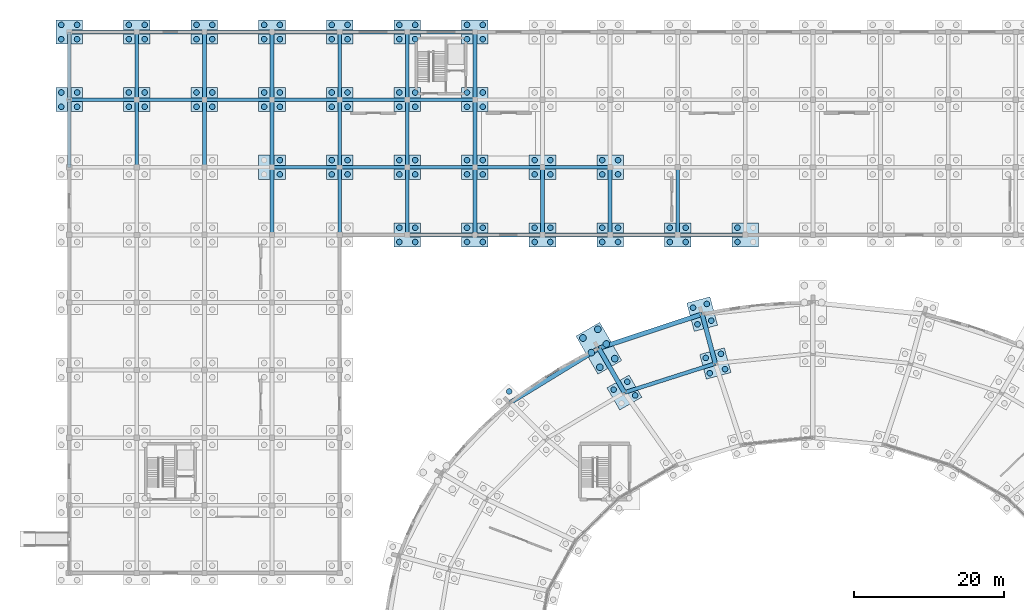
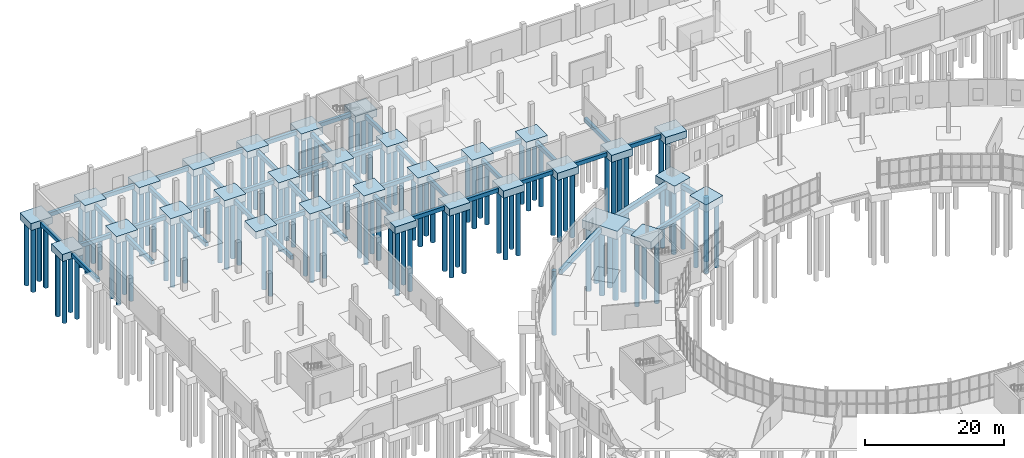
# One storey, part 10 of 118: 118 piles, 78 footings.
"""IFC4 building model written with IfcOpenShell, lengths in metres."""

from ifc_helpers import new_model, si_unit, direction, frame, origin, origin_2d, place, context, subcontext, project, spatial, rectangle, circle, extrude, material, material_profile, profile_set, type_object, element, save


model = new_model("IFC4")

# Units and contexts
model_context = context("Model", 3, precision=1e-05, world=origin(), true_north=direction((0.0, 1.0)))
body_context = subcontext(model_context, "Body", "Model", "MODEL_VIEW")
ifc_project = project(units=[si_unit("LENGTHUNIT", "METRE"), si_unit("AREAUNIT", "SQUARE_METRE"), si_unit("VOLUMEUNIT", "CUBIC_METRE"), si_unit("PLANEANGLEUNIT", "RADIAN"), si_unit("MASSUNIT", "GRAM", prefix="KILO")], contexts=[model_context])

# Site, building, storey
site_placement = place(None, origin())
site = spatial("IfcSite", under=ifc_project, at=site_placement, CompositionType="ELEMENT")
building_placement = place(site_placement, origin())
building = spatial("IfcBuilding", under=site, at=building_placement, Name="Kildeholm Park Wholesale Market", CompositionType="ELEMENT")
storey_placement = place(building_placement, origin())
storey = spatial("IfcBuildingStorey", under=building, at=storey_placement, Name="L00", CompositionType="ELEMENT", Elevation=0.0)

# Piles
ifc_material = material(Name="Concrete C35/45", Category="concrete")
ifc_material_profile_1 = material_profile(ifc_material, circle(Radius=0.375, at=origin_2d()), Name="PILE D750")
ifc_profile_set_1 = profile_set([ifc_material_profile_1], Name="Concrete C35/45")
pile_type_1 = type_object("IfcPileType", Name="Bored pile 750 mm", PredefinedType="BORED", material=ifc_profile_set_1)
for number, where, z_axis, x_axis, name in (
    (1, (87.29296875, 126.138427734375, -1.199951171875), (0.0, 0.0, -1.0), (1.0, 0.0, 0.0), "Bored pile V1-MD-07.1 PIL-0097"),
    (2, (86.74951171875, 128.1669921875, -1.199951171875), (0.0, 0.0, -1.0), (1.0, 0.0, 0.0), "Bored pile V1-MD-07.2 PIL-0098"),
    (3, (85.264404296875, 125.594970703125, -1.199951171875), (0.0, 0.0, -1.0), (1.0, 0.0, 0.0), "Bored pile V1-MD-07.3 PIL-0099"),
    (4, (84.720947265625, 127.62353515625, -1.199951171875), (0.0, 0.0, -1.0), (1.0, 0.0, 0.0), "Bored pile V1-MD-07.4 PIL-0100"),
):
    element("IfcPile", number, at=place(storey_placement, frame(where, z_axis=z_axis, x_axis=x_axis)), inside=storey, type_object=pile_type_1, Name=name, PredefinedType="BORED", context=body_context, shape_type="SweptSolid", body=[
        extrude(circle(Radius=0.375, at=origin_2d()), origin(), (0.0, 0.0, 1.0), 11.300048828125),
    ])
for number, where, z_axis, x_axis, name in (
    (5, (85.46240234375, 132.585205078125, -1.25), (0.0, 0.0, -1.0), (1.0, 0.0, 0.0), "Bored pile V1-OT-07.1 PIL-0101"),
    (6, (84.866943359375, 134.806640625, -1.25), (0.0, 0.0, -1.0), (1.0, 0.0, 0.0), "Bored pile V1-OT-07.2 PIL-0102"),
    (7, (83.626953125, 132.09326171875, -1.25), (0.0, 0.0, -1.0), (1.0, 0.0, 0.0), "Bored pile V1-OT-07.3 PIL-0103"),
    (8, (83.03173828125, 134.31494140625, -1.25), (0.0, 0.0, -1.0), (1.0, 0.0, 0.0), "Bored pile V1-OT-07.4 PIL-0104"),
):
    element("IfcPile", number, at=place(storey_placement, frame(where, z_axis=z_axis, x_axis=x_axis)), inside=storey, type_object=pile_type_1, Name=name, PredefinedType="BORED", context=body_context, shape_type="SweptSolid", body=[
        extrude(circle(Radius=0.375, at=origin_2d()), origin(), (0.0, 0.0, 1.0), 11.25),
    ])
for number, where, z_axis, x_axis, name in (
    (9, (75.334228515625, 122.630615234375, -1.199951171875), (0.0, 0.0, -1.0), (1.0, 0.0, 0.0), "Bored pile V1-MD-08.1 PIL-0109"),
    (10, (74.2841796875, 124.44921875, -1.199951171875), (0.0, 0.0, -1.0), (1.0, 0.0, 0.0), "Bored pile V1-MD-08.2 PIL-0110"),
    (11, (72.4658203125, 123.3994140625, -1.199951171875), (0.0, 0.0, -1.0), (1.0, 0.0, 0.0), "Bored pile V1-MD-08.4 PIL-0112"),
):
    element("IfcPile", number, at=place(storey_placement, frame(where, z_axis=z_axis, x_axis=x_axis)), inside=storey, type_object=pile_type_1, Name=name, PredefinedType="BORED", context=body_context, shape_type="SweptSolid", body=[
        extrude(circle(Radius=0.375, at=origin_2d()), origin(), (0.0, 0.0, 1.0), 11.300048828125),
    ])
pile_placement = place(storey_placement, frame((58.5537109375, 123.157958984375, -1.25), z_axis=(0.0, 0.0, -1.0), x_axis=(1.0, 0.0, 0.0)))
element("IfcPile", 12, at=pile_placement, inside=storey, type_object=pile_type_1, Name="Bored pile V1-OT-09.2 PIL-0128", PredefinedType="BORED", context=body_context, shape_type="SweptSolid", body=[
    extrude(circle(Radius=0.375, at=origin_2d()), origin(), (0.0, 0.0, 1.0), 11.25),
])
for number, where, z_axis, x_axis, name in (
    (13, (-1.050048828125, 161.050048828125, -1.14990234375), (0.0, 0.0, -1.0), (1.0, 0.0, 0.0), "Bored pile V4-000-162.1 PIL-0453"),
    (14, (1.050048828125, 161.050048828125, -1.14990234375), (0.0, 0.0, -1.0), (1.0, 0.0, 0.0), "Bored pile V4-000-162.2 PIL-0454"),
    (15, (-1.050048828125, 162.949951171875, -1.14990234375), (0.0, 0.0, -1.0), (1.0, 0.0, 0.0), "Bored pile V4-000-162.3 PIL-0455"),
    (16, (1.050048828125, 162.949951171875, -1.14990234375), (0.0, 0.0, -1.0), (1.0, 0.0, 0.0), "Bored pile V4-000-162.4 PIL-0456"),
    (17, (-1.050048828125, 170.050048828125, -1.14990234375), (0.0, 0.0, -1.0), (1.0, 0.0, 0.0), "Bored pile V4-000-171.1 PIL-0457"),
    (18, (1.050048828125, 170.050048828125, -1.14990234375), (0.0, 0.0, -1.0), (1.0, 0.0, 0.0), "Bored pile V4-000-171.2 PIL-0458"),
    (19, (-1.050048828125, 171.949951171875, -1.14990234375), (0.0, 0.0, -1.0), (1.0, 0.0, 0.0), "Bored pile V4-000-171.3 PIL-0459"),
    (20, (1.050048828125, 171.949951171875, -1.14990234375), (0.0, 0.0, -1.0), (1.0, 0.0, 0.0), "Bored pile V4-000-171.4 PIL-0460"),
    (21, (7.949951171875, 161.050048828125, -1.14990234375), (0.0, 0.0, -1.0), (1.0, 0.0, 0.0), "Bored pile V4-009-162.1 PIL-0489"),
    (22, (10.050048828125, 161.050048828125, -1.14990234375), (0.0, 0.0, -1.0), (1.0, 0.0, 0.0), "Bored pile V4-009-162.2 PIL-0490"),
    (23, (7.949951171875, 162.949951171875, -1.14990234375), (0.0, 0.0, -1.0), (1.0, 0.0, 0.0), "Bored pile V4-009-162.3 PIL-0491"),
    (24, (10.050048828125, 162.949951171875, -1.14990234375), (0.0, 0.0, -1.0), (1.0, 0.0, 0.0), "Bored pile V4-009-162.4 PIL-0492"),
    (25, (7.949951171875, 170.050048828125, -1.14990234375), (0.0, 0.0, -1.0), (1.0, 0.0, 0.0), "Bored pile V4-009-171.1 PIL-0493"),
    (26, (10.050048828125, 170.050048828125, -1.14990234375), (0.0, 0.0, -1.0), (1.0, 0.0, 0.0), "Bored pile V4-009-171.2 PIL-0494"),
    (27, (7.949951171875, 171.949951171875, -1.14990234375), (0.0, 0.0, -1.0), (1.0, 0.0, 0.0), "Bored pile V4-009-171.3 PIL-0495"),
    (28, (10.050048828125, 171.949951171875, -1.14990234375), (0.0, 0.0, -1.0), (1.0, 0.0, 0.0), "Bored pile V4-009-171.4 PIL-0496"),
    (29, (16.949951171875, 161.050048828125, -1.14990234375), (0.0, 0.0, -1.0), (1.0, 0.0, 0.0), "Bored pile V4-018-162.1 PIL-0525"),
    (30, (19.050048828125, 161.050048828125, -1.14990234375), (0.0, 0.0, -1.0), (1.0, 0.0, 0.0), "Bored pile V4-018-162.2 PIL-0526"),
    (31, (16.949951171875, 162.949951171875, -1.14990234375), (0.0, 0.0, -1.0), (1.0, 0.0, 0.0), "Bored pile V4-018-162.3 PIL-0527"),
    (32, (19.050048828125, 162.949951171875, -1.14990234375), (0.0, 0.0, -1.0), (1.0, 0.0, 0.0), "Bored pile V4-018-162.4 PIL-0528"),
    (33, (16.949951171875, 170.050048828125, -1.14990234375), (0.0, 0.0, -1.0), (1.0, 0.0, 0.0), "Bored pile V4-018-171.1 PIL-0529"),
    (34, (19.050048828125, 170.050048828125, -1.14990234375), (0.0, 0.0, -1.0), (1.0, 0.0, 0.0), "Bored pile V4-018-171.2 PIL-0530"),
    (35, (16.949951171875, 171.949951171875, -1.14990234375), (0.0, 0.0, -1.0), (1.0, 0.0, 0.0), "Bored pile V4-018-171.3 PIL-0531"),
    (36, (19.050048828125, 171.949951171875, -1.14990234375), (0.0, 0.0, -1.0), (1.0, 0.0, 0.0), "Bored pile V4-018-171.4 PIL-0532"),
    (37, (28.050048828125, 152.050048828125, -1.14990234375), (0.0, 0.0, -1.0), (1.0, 0.0, 0.0), "Bored pile V4-027-153.2 PIL-0558"),
    (38, (28.050048828125, 153.949951171875, -1.14990234375), (0.0, 0.0, -1.0), (1.0, 0.0, 0.0), "Bored pile V4-027-153.4 PIL-0560"),
    (39, (25.949951171875, 161.050048828125, -1.14990234375), (0.0, 0.0, -1.0), (1.0, 0.0, 0.0), "Bored pile V4-027-162.1 PIL-0561"),
    (40, (28.050048828125, 161.050048828125, -1.14990234375), (0.0, 0.0, -1.0), (1.0, 0.0, 0.0), "Bored pile V4-027-162.2 PIL-0562"),
    (41, (25.949951171875, 162.949951171875, -1.14990234375), (0.0, 0.0, -1.0), (1.0, 0.0, 0.0), "Bored pile V4-027-162.3 PIL-0563"),
    (42, (28.050048828125, 162.949951171875, -1.14990234375), (0.0, 0.0, -1.0), (1.0, 0.0, 0.0), "Bored pile V4-027-162.4 PIL-0564"),
    (43, (25.949951171875, 170.050048828125, -1.14990234375), (0.0, 0.0, -1.0), (1.0, 0.0, 0.0), "Bored pile V4-027-171.1 PIL-0565"),
    (44, (28.050048828125, 170.050048828125, -1.14990234375), (0.0, 0.0, -1.0), (1.0, 0.0, 0.0), "Bored pile V4-027-171.2 PIL-0566"),
    (45, (25.949951171875, 171.949951171875, -1.14990234375), (0.0, 0.0, -1.0), (1.0, 0.0, 0.0), "Bored pile V4-027-171.3 PIL-0567"),
    (46, (28.050048828125, 171.949951171875, -1.14990234375), (0.0, 0.0, -1.0), (1.0, 0.0, 0.0), "Bored pile V4-027-171.4 PIL-0568"),
    (47, (34.949951171875, 152.050048828125, -1.14990234375), (0.0, 0.0, -1.0), (1.0, 0.0, 0.0), "Bored pile V4-036-153.1 PIL-0593"),
    (48, (37.050048828125, 152.050048828125, -1.14990234375), (0.0, 0.0, -1.0), (1.0, 0.0, 0.0), "Bored pile V4-036-153.2 PIL-0594"),
    (49, (34.949951171875, 153.949951171875, -1.14990234375), (0.0, 0.0, -1.0), (1.0, 0.0, 0.0), "Bored pile V4-036-153.3 PIL-0595"),
    (50, (37.050048828125, 153.949951171875, -1.14990234375), (0.0, 0.0, -1.0), (1.0, 0.0, 0.0), "Bored pile V4-036-153.4 PIL-0596"),
    (51, (34.949951171875, 161.050048828125, -1.14990234375), (0.0, 0.0, -1.0), (1.0, 0.0, 0.0), "Bored pile V4-036-162.1 PIL-0597"),
    (52, (37.050048828125, 161.050048828125, -1.14990234375), (0.0, 0.0, -1.0), (1.0, 0.0, 0.0), "Bored pile V4-036-162.2 PIL-0598"),
    (53, (34.949951171875, 162.949951171875, -1.14990234375), (0.0, 0.0, -1.0), (1.0, 0.0, 0.0), "Bored pile V4-036-162.3 PIL-0599"),
    (54, (37.050048828125, 162.949951171875, -1.14990234375), (0.0, 0.0, -1.0), (1.0, 0.0, 0.0), "Bored pile V4-036-162.4 PIL-0600"),
    (55, (34.949951171875, 170.050048828125, -1.14990234375), (0.0, 0.0, -1.0), (1.0, 0.0, 0.0), "Bored pile V4-036-171.1 PIL-0601"),
    (56, (37.050048828125, 170.050048828125, -1.14990234375), (0.0, 0.0, -1.0), (1.0, 0.0, 0.0), "Bored pile V4-036-171.2 PIL-0602"),
    (57, (34.949951171875, 171.949951171875, -1.14990234375), (0.0, 0.0, -1.0), (1.0, 0.0, 0.0), "Bored pile V4-036-171.3 PIL-0603"),
    (58, (37.050048828125, 171.949951171875, -1.14990234375), (0.0, 0.0, -1.0), (1.0, 0.0, 0.0), "Bored pile V4-036-171.4 PIL-0604"),
    (59, (43.949951171875, 143.050048828125, -1.14990234375), (0.0, 0.0, -1.0), (1.0, 0.0, 0.0), "Bored pile V4-045-144.1 PIL-0605"),
    (60, (46.050048828125, 143.050048828125, -1.14990234375), (0.0, 0.0, -1.0), (1.0, 0.0, 0.0), "Bored pile V4-045-144.2 PIL-0606"),
    (61, (43.949951171875, 144.949951171875, -1.14990234375), (0.0, 0.0, -1.0), (1.0, 0.0, 0.0), "Bored pile V4-045-144.3 PIL-0607"),
    (62, (46.050048828125, 144.949951171875, -1.14990234375), (0.0, 0.0, -1.0), (1.0, 0.0, 0.0), "Bored pile V4-045-144.4 PIL-0608"),
    (63, (43.949951171875, 152.050048828125, -1.14990234375), (0.0, 0.0, -1.0), (1.0, 0.0, 0.0), "Bored pile V4-045-153.1 PIL-0609"),
    (64, (46.050048828125, 152.050048828125, -1.14990234375), (0.0, 0.0, -1.0), (1.0, 0.0, 0.0), "Bored pile V4-045-153.2 PIL-0610"),
    (65, (43.949951171875, 153.949951171875, -1.14990234375), (0.0, 0.0, -1.0), (1.0, 0.0, 0.0), "Bored pile V4-045-153.3 PIL-0611"),
    (66, (46.050048828125, 153.949951171875, -1.14990234375), (0.0, 0.0, -1.0), (1.0, 0.0, 0.0), "Bored pile V4-045-153.4 PIL-0612"),
    (67, (43.949951171875, 161.050048828125, -1.14990234375), (0.0, 0.0, -1.0), (1.0, 0.0, 0.0), "Bored pile V4-045-162.1 PIL-0613"),
    (68, (46.050048828125, 161.050048828125, -1.14990234375), (0.0, 0.0, -1.0), (1.0, 0.0, 0.0), "Bored pile V4-045-162.2 PIL-0614"),
    (69, (43.949951171875, 162.949951171875, -1.14990234375), (0.0, 0.0, -1.0), (1.0, 0.0, 0.0), "Bored pile V4-045-162.3 PIL-0615"),
    (70, (46.050048828125, 162.949951171875, -1.14990234375), (0.0, 0.0, -1.0), (1.0, 0.0, 0.0), "Bored pile V4-045-162.4 PIL-0616"),
    (71, (43.949951171875, 170.050048828125, -1.14990234375), (0.0, 0.0, -1.0), (1.0, 0.0, 0.0), "Bored pile V4-045-171.1 PIL-0617"),
    (72, (46.050048828125, 170.050048828125, -1.14990234375), (0.0, 0.0, -1.0), (1.0, 0.0, 0.0), "Bored pile V4-045-171.2 PIL-0618"),
    (73, (43.949951171875, 171.949951171875, -1.14990234375), (0.0, 0.0, -1.0), (1.0, 0.0, 0.0), "Bored pile V4-045-171.3 PIL-0619"),
    (74, (46.050048828125, 171.949951171875, -1.14990234375), (0.0, 0.0, -1.0), (1.0, 0.0, 0.0), "Bored pile V4-045-171.4 PIL-0620"),
    (75, (52.949951171875, 143.050048828125, -1.14990234375), (0.0, 0.0, -1.0), (1.0, 0.0, 0.0), "Bored pile V4-054-144.1 PIL-0621"),
    (76, (55.050048828125, 143.050048828125, -1.14990234375), (0.0, 0.0, -1.0), (1.0, 0.0, 0.0), "Bored pile V4-054-144.2 PIL-0622"),
    (77, (52.949951171875, 144.949951171875, -1.14990234375), (0.0, 0.0, -1.0), (1.0, 0.0, 0.0), "Bored pile V4-054-144.3 PIL-0623"),
    (78, (55.050048828125, 144.949951171875, -1.14990234375), (0.0, 0.0, -1.0), (1.0, 0.0, 0.0), "Bored pile V4-054-144.4 PIL-0624"),
    (79, (52.949951171875, 152.050048828125, -1.14990234375), (0.0, 0.0, -1.0), (1.0, 0.0, 0.0), "Bored pile V4-054-153.1 PIL-0625"),
    (80, (55.050048828125, 152.050048828125, -1.14990234375), (0.0, 0.0, -1.0), (1.0, 0.0, 0.0), "Bored pile V4-054-153.2 PIL-0626"),
    (81, (52.949951171875, 153.949951171875, -1.14990234375), (0.0, 0.0, -1.0), (1.0, 0.0, 0.0), "Bored pile V4-054-153.3 PIL-0627"),
    (82, (55.050048828125, 153.949951171875, -1.14990234375), (0.0, 0.0, -1.0), (1.0, 0.0, 0.0), "Bored pile V4-054-153.4 PIL-0628"),
    (83, (52.949951171875, 161.050048828125, -1.14990234375), (0.0, 0.0, -1.0), (1.0, 0.0, 0.0), "Bored pile V4-054-162.1 PIL-0629"),
    (84, (55.050048828125, 161.050048828125, -1.14990234375), (0.0, 0.0, -1.0), (1.0, 0.0, 0.0), "Bored pile V4-054-162.2 PIL-0630"),
    (85, (52.949951171875, 162.949951171875, -1.14990234375), (0.0, 0.0, -1.0), (1.0, 0.0, 0.0), "Bored pile V4-054-162.3 PIL-0631"),
    (86, (55.050048828125, 162.949951171875, -1.14990234375), (0.0, 0.0, -1.0), (1.0, 0.0, 0.0), "Bored pile V4-054-162.4 PIL-0632"),
    (87, (52.949951171875, 170.050048828125, -1.14990234375), (0.0, 0.0, -1.0), (1.0, 0.0, 0.0), "Bored pile V4-054-171.1 PIL-0633"),
    (88, (55.050048828125, 170.050048828125, -1.14990234375), (0.0, 0.0, -1.0), (1.0, 0.0, 0.0), "Bored pile V4-054-171.2 PIL-0634"),
    (89, (52.949951171875, 171.949951171875, -1.14990234375), (0.0, 0.0, -1.0), (1.0, 0.0, 0.0), "Bored pile V4-054-171.3 PIL-0635"),
    (90, (55.050048828125, 171.949951171875, -1.14990234375), (0.0, 0.0, -1.0), (1.0, 0.0, 0.0), "Bored pile V4-054-171.4 PIL-0636"),
    (91, (61.949951171875, 143.050048828125, -1.14990234375), (0.0, 0.0, -1.0), (1.0, 0.0, 0.0), "Bored pile V4-063-144.1 PIL-0637"),
    (92, (64.050048828125, 143.050048828125, -1.14990234375), (0.0, 0.0, -1.0), (1.0, 0.0, 0.0), "Bored pile V4-063-144.2 PIL-0638"),
    (93, (61.949951171875, 144.949951171875, -1.14990234375), (0.0, 0.0, -1.0), (1.0, 0.0, 0.0), "Bored pile V4-063-144.3 PIL-0639"),
    (94, (64.050048828125, 144.949951171875, -1.14990234375), (0.0, 0.0, -1.0), (1.0, 0.0, 0.0), "Bored pile V4-063-144.4 PIL-0640"),
    (95, (61.949951171875, 152.050048828125, -1.14990234375), (0.0, 0.0, -1.0), (1.0, 0.0, 0.0), "Bored pile V4-063-153.1 PIL-0641"),
    (96, (64.050048828125, 152.050048828125, -1.14990234375), (0.0, 0.0, -1.0), (1.0, 0.0, 0.0), "Bored pile V4-063-153.2 PIL-0642"),
    (97, (61.949951171875, 153.949951171875, -1.14990234375), (0.0, 0.0, -1.0), (1.0, 0.0, 0.0), "Bored pile V4-063-153.3 PIL-0643"),
    (98, (64.050048828125, 153.949951171875, -1.14990234375), (0.0, 0.0, -1.0), (1.0, 0.0, 0.0), "Bored pile V4-063-153.4 PIL-0644"),
    (99, (70.949951171875, 143.050048828125, -1.14990234375), (0.0, 0.0, -1.0), (1.0, 0.0, 0.0), "Bored pile V4-072-144.1 PIL-0653"),
    (100, (73.050048828125, 143.050048828125, -1.14990234375), (0.0, 0.0, -1.0), (1.0, 0.0, 0.0), "Bored pile V4-072-144.2 PIL-0654"),
    (101, (70.949951171875, 144.949951171875, -1.14990234375), (0.0, 0.0, -1.0), (1.0, 0.0, 0.0), "Bored pile V4-072-144.3 PIL-0655"),
    (102, (73.050048828125, 144.949951171875, -1.14990234375), (0.0, 0.0, -1.0), (1.0, 0.0, 0.0), "Bored pile V4-072-144.4 PIL-0656"),
    (103, (70.949951171875, 152.050048828125, -1.14990234375), (0.0, 0.0, -1.0), (1.0, 0.0, 0.0), "Bored pile V4-072-153.1 PIL-0657"),
    (104, (73.050048828125, 152.050048828125, -1.14990234375), (0.0, 0.0, -1.0), (1.0, 0.0, 0.0), "Bored pile V4-072-153.2 PIL-0658"),
    (105, (70.949951171875, 153.949951171875, -1.14990234375), (0.0, 0.0, -1.0), (1.0, 0.0, 0.0), "Bored pile V4-072-153.3 PIL-0659"),
    (106, (73.050048828125, 153.949951171875, -1.14990234375), (0.0, 0.0, -1.0), (1.0, 0.0, 0.0), "Bored pile V4-072-153.4 PIL-0660"),
    (107, (79.949951171875, 143.050048828125, -1.14990234375), (0.0, 0.0, -1.0), (1.0, 0.0, 0.0), "Bored pile V4-081-144.1 PIL-0669"),
    (108, (82.050048828125, 143.050048828125, -1.14990234375), (0.0, 0.0, -1.0), (1.0, 0.0, 0.0), "Bored pile V4-081-144.2 PIL-0670"),
    (109, (79.949951171875, 144.949951171875, -1.14990234375), (0.0, 0.0, -1.0), (1.0, 0.0, 0.0), "Bored pile V4-081-144.3 PIL-0671"),
    (110, (82.050048828125, 144.949951171875, -1.14990234375), (0.0, 0.0, -1.0), (1.0, 0.0, 0.0), "Bored pile V4-081-144.4 PIL-0672"),
    (111, (88.949951171875, 143.050048828125, -1.14990234375), (0.0, 0.0, -1.0), (1.0, 0.0, 0.0), "Bored pile V4-090-144.1 PIL-0685"),
    (112, (88.949951171875, 144.949951171875, -1.14990234375), (0.0, 0.0, -1.0), (1.0, 0.0, 0.0), "Bored pile V4-090-144.3 PIL-0687"),
):
    element("IfcPile", number, at=place(storey_placement, frame(where, z_axis=z_axis, x_axis=x_axis)), inside=storey, type_object=pile_type_1, Name=name, PredefinedType="BORED", context=body_context, shape_type="SweptSolid", body=[
        extrude(circle(Radius=0.375, at=origin_2d()), origin(), (0.0, 0.0, 1.0), 11.35009765625),
    ])
ifc_material_profile_2 = material_profile(ifc_material, circle(Radius=0.449951171875, at=origin_2d()), Name="PILE D900")
ifc_profile_set_2 = profile_set([ifc_material_profile_2], Name="Concrete C35/45")
pile_type_2 = type_object("IfcPileType", Name="Bored pile 900 mm", PredefinedType="BORED", material=ifc_profile_set_2)
for number, where, z_axis, x_axis, name in (
    (113, (72.620849609375, 127.530517578125, -1.35009765625), (0.0, 0.0, -1.0), (1.0, 0.0, 0.0), "Bored pile V1-OT-08.1 PIL-0113"),
    (114, (71.495849609375, 129.47900390625, -1.35009765625), (0.0, 0.0, -1.0), (1.0, 0.0, 0.0), "Bored pile V1-OT-08.2 PIL-0114"),
    (115, (70.370849609375, 131.427490234375, -1.35009765625), (0.0, 0.0, -1.0), (1.0, 0.0, 0.0), "Bored pile V1-OT-08.3 PIL-0115"),
    (116, (70.629150390625, 126.38037109375, -1.35009765625), (0.0, 0.0, -1.0), (1.0, 0.0, 0.0), "Bored pile V1-OT-08.4 PIL-0116"),
    (117, (69.504150390625, 128.3291015625, -1.35009765625), (0.0, 0.0, -1.0), (1.0, 0.0, 0.0), "Bored pile V1-OT-08.5 PIL-0117"),
    (118, (68.379150390625, 130.277587890625, -1.35009765625), (0.0, 0.0, -1.0), (1.0, 0.0, 0.0), "Bored pile V1-OT-08.6 PIL-0118"),
):
    element("IfcPile", number, at=place(storey_placement, frame(where, z_axis=z_axis, x_axis=x_axis)), inside=storey, type_object=pile_type_2, Name=name, PredefinedType="BORED", context=body_context, shape_type="SweptSolid", body=[
        extrude(circle(Radius=0.449951171875, at=origin_2d()), origin(), (0.0, 0.0, 1.0), 11.14990234375),
    ])

# Footings
ifc_material_profile_3 = material_profile(ifc_material, rectangle(XDim=0.5, YDim=0.699951171875, at=origin_2d()), Name="FB 500x700")
ifc_profile_set_3 = profile_set([ifc_material_profile_3], Name="Concrete C35/45")
footing_type_1 = type_object("IfcFootingType", Name="Ground tie beam GB-1 FB 500x700", PredefinedType="FOOTING_BEAM", material=ifc_profile_set_3)
footing_1_placement = place(storey_placement, frame((86.007080078125, 126.881103515625, -0.64990234375), z_axis=(-0.952608649326, -0.304198555599, 0.0), x_axis=(0.304198555599, -0.952608649326, 0.0)))
element("IfcFooting", 119, at=footing_1_placement, inside=storey, type_object=footing_type_1, Name="Ground tie beam GB-V1-CMD-07 FTG-0111", PredefinedType="FOOTING_BEAM", context=body_context, shape_type="SweptSolid", body=[
    extrude(rectangle(XDim=0.5, YDim=0.699951171875, at=origin_2d()), origin(), (0.0, 0.0, 1.0), 12.70947265625),
])
for number, where, z_axis, x_axis, name in (
    (120, (0.0, 153.0, -0.64990234375), (0.0, 1.0, 0.0), (-1.0, 0.0, 0.0), "Ground tie beam GB-V4-Y-000-153 FTG-0411"),
    (121, (0.0, 162.0, -0.64990234375), (1.0, 0.0, 0.0), (0.0, 1.0, 0.0), "Ground tie beam GB-V4-X-000-162 FTG-0412"),
    (122, (0.0, 162.0, -0.64990234375), (0.0, 1.0, 0.0), (-1.0, 0.0, 0.0), "Ground tie beam GB-V4-Y-000-162 FTG-0413"),
    (123, (0.0, 171.0, -0.64990234375), (1.0, 0.0, 0.0), (0.0, 1.0, 0.0), "Ground tie beam GB-V4-X-000-171 FTG-0414"),
    (124, (9.0, 153.0, -0.64990234375), (0.0, 1.0, 0.0), (-1.0, 0.0, 0.0), "Ground tie beam GB-V4-Y-009-153 FTG-0428"),
    (125, (9.0, 162.0, -0.64990234375), (1.0, 0.0, 0.0), (0.0, 1.0, 0.0), "Ground tie beam GB-V4-X-009-162 FTG-0429"),
    (126, (9.0, 162.0, -0.64990234375), (0.0, 1.0, 0.0), (-1.0, 0.0, 0.0), "Ground tie beam GB-V4-Y-009-162 FTG-0430"),
    (127, (9.0, 171.0, -0.64990234375), (1.0, 0.0, 0.0), (0.0, 1.0, 0.0), "Ground tie beam GB-V4-X-009-171 FTG-0431"),
    (128, (18.0, 153.0, -0.64990234375), (0.0, 1.0, 0.0), (-1.0, 0.0, 0.0), "Ground tie beam GB-V4-Y-018-153 FTG-0445"),
    (129, (18.0, 162.0, -0.64990234375), (1.0, 0.0, 0.0), (0.0, 1.0, 0.0), "Ground tie beam GB-V4-X-018-162 FTG-0446"),
    (130, (18.0, 162.0, -0.64990234375), (0.0, 1.0, 0.0), (-1.0, 0.0, 0.0), "Ground tie beam GB-V4-Y-018-162 FTG-0447"),
    (131, (18.0, 171.0, -0.64990234375), (1.0, 0.0, 0.0), (0.0, 1.0, 0.0), "Ground tie beam GB-V4-X-018-171 FTG-0448"),
    (132, (27.0, 144.0, -0.64990234375), (0.0, 1.0, 0.0), (-1.0, 0.0, 0.0), "Ground tie beam GB-V4-Y-027-144 FTG-0460"),
    (133, (27.0, 153.0, -0.64990234375), (1.0, 0.0, 0.0), (0.0, 1.0, 0.0), "Ground tie beam GB-V4-X-027-153 FTG-0461"),
    (134, (27.0, 153.0, -0.64990234375), (0.0, 1.0, 0.0), (-1.0, 0.0, 0.0), "Ground tie beam GB-V4-Y-027-153 FTG-0462"),
    (135, (27.0, 162.0, -0.64990234375), (1.0, 0.0, 0.0), (0.0, 1.0, 0.0), "Ground tie beam GB-V4-X-027-162 FTG-0463"),
    (136, (27.0, 162.0, -0.64990234375), (0.0, 1.0, 0.0), (-1.0, 0.0, 0.0), "Ground tie beam GB-V4-Y-027-162 FTG-0464"),
    (137, (27.0, 171.0, -0.64990234375), (1.0, 0.0, 0.0), (0.0, 1.0, 0.0), "Ground tie beam GB-V4-X-027-171 FTG-0465"),
    (138, (36.0, 144.0, -0.64990234375), (0.0, 1.0, 0.0), (-1.0, 0.0, 0.0), "Ground tie beam GB-V4-Y-036-144 FTG-0472"),
    (139, (36.0, 153.0, -0.64990234375), (1.0, 0.0, 0.0), (0.0, 1.0, 0.0), "Ground tie beam GB-V4-X-036-153 FTG-0473"),
    (140, (36.0, 153.0, -0.64990234375), (0.0, 1.0, 0.0), (-1.0, 0.0, 0.0), "Ground tie beam GB-V4-Y-036-153 FTG-0474"),
    (141, (36.0, 162.0, -0.64990234375), (1.0, 0.0, 0.0), (0.0, 1.0, 0.0), "Ground tie beam GB-V4-X-036-162 FTG-0475"),
    (142, (36.0, 162.0, -0.64990234375), (0.0, 1.0, 0.0), (-1.0, 0.0, 0.0), "Ground tie beam GB-V4-Y-036-162 FTG-0476"),
    (143, (36.0, 171.0, -0.64990234375), (1.0, 0.0, 0.0), (0.0, 1.0, 0.0), "Ground tie beam GB-V4-X-036-171 FTG-0477"),
    (144, (45.0, 144.0, -0.64990234375), (1.0, 0.0, 0.0), (0.0, 1.0, 0.0), "Ground tie beam GB-V4-X-045-144 FTG-0478"),
    (145, (45.0, 144.0, -0.64990234375), (0.0, 1.0, 0.0), (-1.0, 0.0, 0.0), "Ground tie beam GB-V4-Y-045-144 FTG-0479"),
    (146, (45.0, 153.0, -0.64990234375), (1.0, 0.0, 0.0), (0.0, 1.0, 0.0), "Ground tie beam GB-V4-X-045-153 FTG-0480"),
    (147, (45.0, 153.0, -0.64990234375), (0.0, 1.0, 0.0), (-1.0, 0.0, 0.0), "Ground tie beam GB-V4-Y-045-153 FTG-0481"),
    (148, (45.0, 162.0, -0.64990234375), (1.0, 0.0, 0.0), (0.0, 1.0, 0.0), "Ground tie beam GB-V4-X-045-162 FTG-0482"),
    (149, (45.0, 162.0, -0.64990234375), (0.0, 1.0, 0.0), (-1.0, 0.0, 0.0), "Ground tie beam GB-V4-Y-045-162 FTG-0483"),
    (150, (45.0, 171.0, -0.64990234375), (1.0, 0.0, 0.0), (0.0, 1.0, 0.0), "Ground tie beam GB-V4-X-045-171 FTG-0484"),
    (151, (54.0, 144.0, -0.64990234375), (1.0, 0.0, 0.0), (0.0, 1.0, 0.0), "Ground tie beam GB-V4-X-054-144 FTG-0485"),
    (152, (54.0, 144.0, -0.64990234375), (0.0, 1.0, 0.0), (-1.0, 0.0, 0.0), "Ground tie beam GB-V4-Y-054-144 FTG-0486"),
    (153, (54.0, 153.0, -0.64990234375), (1.0, 0.0, 0.0), (0.0, 1.0, 0.0), "Ground tie beam GB-V4-X-054-153 FTG-0487"),
    (154, (54.0, 153.0, -0.64990234375), (0.0, 1.0, 0.0), (-1.0, 0.0, 0.0), "Ground tie beam GB-V4-Y-054-153 FTG-0488"),
    (155, (54.0, 162.0, -0.64990234375), (0.0, 1.0, 0.0), (-1.0, 0.0, 0.0), "Ground tie beam GB-V4-Y-054-162 FTG-0490"),
    (156, (63.0, 144.0, -0.64990234375), (1.0, 0.0, 0.0), (0.0, 1.0, 0.0), "Ground tie beam GB-V4-X-063-144 FTG-0492"),
    (157, (63.0, 144.0, -0.64990234375), (0.0, 1.0, 0.0), (-1.0, 0.0, 0.0), "Ground tie beam GB-V4-Y-063-144 FTG-0493"),
    (158, (63.0, 153.0, -0.64990234375), (1.0, 0.0, 0.0), (0.0, 1.0, 0.0), "Ground tie beam GB-V4-X-063-153 FTG-0494"),
    (159, (72.0, 144.0, -0.64990234375), (1.0, 0.0, 0.0), (0.0, 1.0, 0.0), "Ground tie beam GB-V4-X-072-144 FTG-0499"),
    (160, (72.0, 144.0, -0.64990234375), (0.0, 1.0, 0.0), (-1.0, 0.0, 0.0), "Ground tie beam GB-V4-Y-072-144 FTG-0500"),
    (161, (81.0, 144.0, -0.64990234375), (1.0, 0.0, 0.0), (0.0, 1.0, 0.0), "Ground tie beam GB-V4-X-081-144 FTG-0506"),
    (162, (81.0, 144.0, -0.64990234375), (0.0, 1.0, 0.0), (-1.0, 0.0, 0.0), "Ground tie beam GB-V4-Y-081-144 FTG-0507"),
):
    element("IfcFooting", number, at=place(storey_placement, frame(where, z_axis=z_axis, x_axis=x_axis)), inside=storey, type_object=footing_type_1, Name=name, PredefinedType="FOOTING_BEAM", context=body_context, shape_type="SweptSolid", body=[
        extrude(rectangle(XDim=0.5, YDim=0.699951171875, at=origin_2d()), origin(), (0.0, 0.0, 1.0), 9.0),
    ])
ifc_material_profile_4 = material_profile(ifc_material, rectangle(XDim=0.60009765625, YDim=0.800048828125, at=origin_2d()), Name="FB 600x800")
ifc_profile_set_4 = profile_set([ifc_material_profile_4], Name="Concrete C35/45")
footing_type_2 = type_object("IfcFootingType", Name="Ground tie beam GB-2 FB 600x800", PredefinedType="FOOTING_BEAM", material=ifc_profile_set_4)
footing_2_placement = place(storey_placement, frame((86.007080078125, 126.881103515625, -0.699951171875), z_axis=(-0.258804274594, 0.965929783914, 0.0), x_axis=(-0.965929783914, -0.258804274594, 0.0)))
element("IfcFooting", 163, at=footing_2_placement, inside=storey, type_object=footing_type_2, Name="Ground tie beam GB-V1-RAD2-07 FTG-0109", PredefinedType="FOOTING_BEAM", context=body_context, shape_type="SweptSolid", body=[
    extrude(rectangle(XDim=0.60009765625, YDim=0.800048828125, at=origin_2d()), origin(), (0.0, 0.0, 1.0), 6.800537109375),
])
footing_3_placement = place(storey_placement, frame((84.2470703125, 133.449951171875, -0.699951171875), z_axis=(-0.949435985478, -0.313960681424, 0.0), x_axis=(0.313960681424, -0.949435985478, 0.0)))
element("IfcFooting", 164, at=footing_3_placement, inside=storey, type_object=footing_type_2, Name="Ground tie beam GB-V1-COT-07 FTG-0112", PredefinedType="FOOTING_BEAM", context=body_context, shape_type="SweptSolid", body=[
    extrude(rectangle(XDim=0.60009765625, YDim=0.800048828125, at=origin_2d()), origin(), (0.0, 0.0, 1.0), 14.479248046875),
])
footing_4_placement = place(storey_placement, frame((73.89990234375, 123.014892578125, -0.699951171875), z_axis=(-0.499977295307, 0.866038511948, 0.0), x_axis=(-0.866038511948, -0.499977295307, 0.0)))
element("IfcFooting", 165, at=footing_4_placement, inside=storey, type_object=footing_type_2, Name="Ground tie beam GB-V1-RAD2-08 FTG-0114", PredefinedType="FOOTING_BEAM", context=body_context, shape_type="SweptSolid", body=[
    extrude(rectangle(XDim=0.60009765625, YDim=0.800048828125, at=origin_2d()), origin(), (0.0, 0.0, 1.0), 6.800048828125),
])
footing_5_placement = place(storey_placement, frame((70.5, 128.904052734375, -0.699951171875), z_axis=(-0.852740373682, -0.522335002745, 0.0), x_axis=(0.522335002745, -0.852740373682, 0.0)))
element("IfcFooting", 166, at=footing_5_placement, inside=storey, type_object=footing_type_2, Name="Ground tie beam GB-V1-COT-08 FTG-0117", PredefinedType="FOOTING_BEAM", context=body_context, shape_type="SweptSolid", body=[
    extrude(rectangle(XDim=0.60009765625, YDim=0.800048828125, at=origin_2d()), origin(), (0.0, 0.0, 1.0), 13.843505859375),
])
footing_type_3 = type_object("IfcFootingType", Name="Pile cap PC-4C 3400x3400x1300", PredefinedType="PILE_CAP", material=ifc_material)
for number, where, z_axis, x_axis, name in (
    (167, (86.007080078125, 126.881103515625, -1.2998046875), (0.0, 0.0, 1.0), (-0.258819045103, 0.965925826289, 0.0), "Pile cap V1-MD-07 FTG-0023"),
    (168, (73.89990234375, 123.014892578125, -1.2998046875), (0.0, 0.0, 1.0), (-0.5, 0.866025403784, 0.0), "Pile cap V1-MD-08 FTG-0026"),
):
    element("IfcFooting", number, at=place(storey_placement, frame(where, z_axis=z_axis, x_axis=x_axis)), inside=storey, type_object=footing_type_3, Name=name, PredefinedType="PILE_CAP", context=body_context, shape_type="SweptSolid", body=[
        extrude(rectangle(XDim=3.39990234375, YDim=3.39990234375, at=origin_2d()), origin(), (0.0, 0.0, 1.0), 1.300048828125),
    ])
footing_type_4 = type_object("IfcFootingType", Name="Pile cap PC-4D 3550x3200x1250", PredefinedType="PILE_CAP", material=ifc_material)
for number, where, z_axis, x_axis, name in (
    (169, (0.0, 162.0, -1.25), (0.0, 0.0, 1.0), (1.0, 0.0, 0.0), "Pile cap V4-000-162 FTG-0296"),
    (170, (0.0, 171.0, -1.25), (0.0, 0.0, 1.0), (1.0, 0.0, 0.0), "Pile cap V4-000-171 FTG-0297"),
    (171, (9.0, 162.0, -1.25), (0.0, 0.0, 1.0), (1.0, 0.0, 0.0), "Pile cap V4-009-162 FTG-0305"),
    (172, (9.0, 171.0, -1.25), (0.0, 0.0, 1.0), (1.0, 0.0, 0.0), "Pile cap V4-009-171 FTG-0306"),
    (173, (18.0, 162.0, -1.25), (0.0, 0.0, 1.0), (1.0, 0.0, 0.0), "Pile cap V4-018-162 FTG-0314"),
    (174, (18.0, 171.0, -1.25), (0.0, 0.0, 1.0), (1.0, 0.0, 0.0), "Pile cap V4-018-171 FTG-0315"),
    (175, (27.0, 153.0, -1.25), (0.0, 0.0, 1.0), (1.0, 0.0, 0.0), "Pile cap V4-027-153 FTG-0322"),
    (176, (27.0, 162.0, -1.25), (0.0, 0.0, 1.0), (1.0, 0.0, 0.0), "Pile cap V4-027-162 FTG-0323"),
    (177, (27.0, 171.0, -1.25), (0.0, 0.0, 1.0), (1.0, 0.0, 0.0), "Pile cap V4-027-171 FTG-0324"),
    (178, (36.0, 153.0, -1.25), (0.0, 0.0, 1.0), (1.0, 0.0, 0.0), "Pile cap V4-036-153 FTG-0331"),
    (179, (36.0, 162.0, -1.25), (0.0, 0.0, 1.0), (1.0, 0.0, 0.0), "Pile cap V4-036-162 FTG-0332"),
    (180, (36.0, 171.0, -1.25), (0.0, 0.0, 1.0), (1.0, 0.0, 0.0), "Pile cap V4-036-171 FTG-0333"),
    (181, (45.0, 144.0, -1.25), (0.0, 0.0, 1.0), (1.0, 0.0, 0.0), "Pile cap V4-045-144 FTG-0334"),
    (182, (45.0, 153.0, -1.25), (0.0, 0.0, 1.0), (1.0, 0.0, 0.0), "Pile cap V4-045-153 FTG-0335"),
    (183, (45.0, 162.0, -1.25), (0.0, 0.0, 1.0), (1.0, 0.0, 0.0), "Pile cap V4-045-162 FTG-0336"),
    (184, (45.0, 171.0, -1.25), (0.0, 0.0, 1.0), (1.0, 0.0, 0.0), "Pile cap V4-045-171 FTG-0337"),
    (185, (54.0, 144.0, -1.25), (0.0, 0.0, 1.0), (1.0, 0.0, 0.0), "Pile cap V4-054-144 FTG-0338"),
    (186, (54.0, 153.0, -1.25), (0.0, 0.0, 1.0), (1.0, 0.0, 0.0), "Pile cap V4-054-153 FTG-0339"),
    (187, (54.0, 162.0, -1.25), (0.0, 0.0, 1.0), (1.0, 0.0, 0.0), "Pile cap V4-054-162 FTG-0340"),
    (188, (54.0, 171.0, -1.25), (0.0, 0.0, 1.0), (1.0, 0.0, 0.0), "Pile cap V4-054-171 FTG-0341"),
    (189, (63.0, 144.0, -1.25), (0.0, 0.0, 1.0), (1.0, 0.0, 0.0), "Pile cap V4-063-144 FTG-0342"),
    (190, (63.0, 153.0, -1.25), (0.0, 0.0, 1.0), (1.0, 0.0, 0.0), "Pile cap V4-063-153 FTG-0343"),
    (191, (72.0, 144.0, -1.25), (0.0, 0.0, 1.0), (1.0, 0.0, 0.0), "Pile cap V4-072-144 FTG-0346"),
    (192, (72.0, 153.0, -1.25), (0.0, 0.0, 1.0), (1.0, 0.0, 0.0), "Pile cap V4-072-153 FTG-0347"),
    (193, (81.0, 144.0, -1.25), (0.0, 0.0, 1.0), (1.0, 0.0, 0.0), "Pile cap V4-081-144 FTG-0350"),
    (194, (90.0, 144.0, -1.25), (0.0, 0.0, 1.0), (1.0, 0.0, 0.0), "Pile cap V4-090-144 FTG-0354"),
):
    element("IfcFooting", number, at=place(storey_placement, frame(where, z_axis=z_axis, x_axis=x_axis)), inside=storey, type_object=footing_type_4, Name=name, PredefinedType="PILE_CAP", context=body_context, shape_type="SweptSolid", body=[
        extrude(rectangle(XDim=3.550048828125, YDim=3.199951171875, at=origin_2d()), origin(), (0.0, 0.0, 1.0), 1.25),
    ])
footing_type_5 = type_object("IfcFootingType", Name="Pile cap PC-4E 3900x3200x1350", PredefinedType="PILE_CAP", material=ifc_material)
footing_6_placement = place(storey_placement, frame((84.2470703125, 133.449951171875, -1.35009765625), z_axis=(0.0, 0.0, 1.0), x_axis=(-0.258819045103, 0.965925826289, 0.0)))
element("IfcFooting", 195, at=footing_6_placement, inside=storey, type_object=footing_type_5, Name="Pile cap V1-OT-07 FTG-0024", PredefinedType="PILE_CAP", context=body_context, shape_type="SweptSolid", body=[
    extrude(rectangle(XDim=3.89990234375, YDim=3.199951171875, at=origin_2d()), origin(), (0.0, 0.0, 1.0), 1.35009765625),
])
footing_type_6 = type_object("IfcFootingType", Name="Pile cap PC-6A 5850x3650x1450", PredefinedType="PILE_CAP", material=ifc_material)
footing_7_placement = place(storey_placement, frame((70.5, 128.904052734375, -1.4501953125), z_axis=(0.0, 0.0, 1.0), x_axis=(-0.5, 0.866025403784, 0.0)))
element("IfcFooting", 196, at=footing_7_placement, inside=storey, type_object=footing_type_6, Name="Pile cap V1-OT-08 FTG-0027", PredefinedType="PILE_CAP", context=body_context, shape_type="SweptSolid", body=[
    extrude(rectangle(XDim=5.85009765625, YDim=3.64990234375, at=origin_2d()), origin(), (0.0, 0.0, 1.0), 1.449951171875),
])

save(model, "model.ifc")
